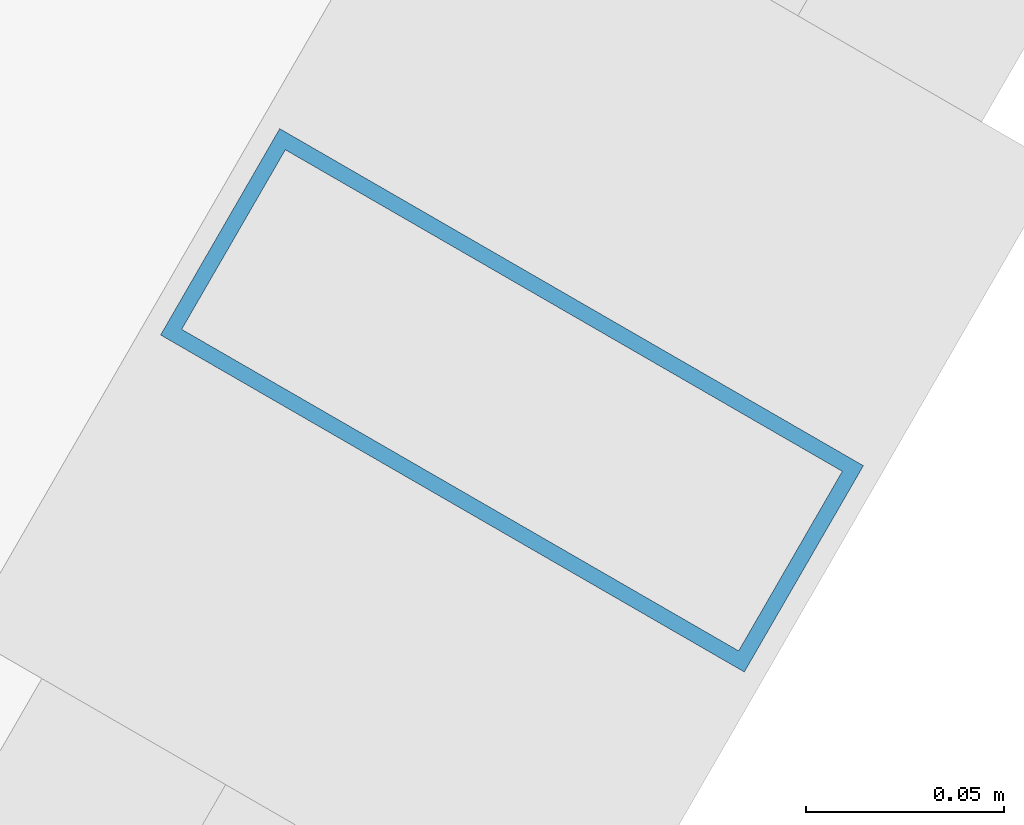
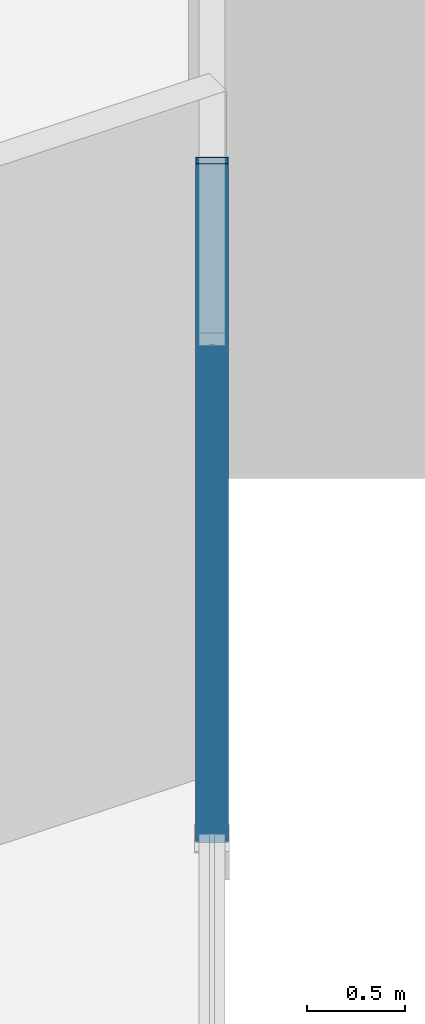
# One storey, part 16 of 39: 1 member, 1 element without a shape of its own.
"""IFC4 building model written with IfcOpenShell, lengths in metres."""

from ifc_helpers import new_model, si_unit, direction, frame, origin, origin_2d, place, context, subcontext, project, spatial, hollow_rectangle, extrude, source, transform, mapped, material, layer, layer_set, material_profile, profile_set, type_object, element, aggregate, save


model = new_model("IFC4")

# Units and contexts
model_context = context("Model", 3, precision=1e-05, world=origin(), true_north=direction((0.0, 1.0)))
body_context = subcontext(model_context, "Body", "Model", "MODEL_VIEW")
ifc_project = project(units=[si_unit("LENGTHUNIT", "METRE"), si_unit("AREAUNIT", "SQUARE_METRE"), si_unit("VOLUMEUNIT", "CUBIC_METRE"), si_unit("PLANEANGLEUNIT", "RADIAN"), si_unit("MASSUNIT", "GRAM", prefix="KILO")], contexts=[model_context])

# Site, building, storey
site_placement = place(None, origin())
site = spatial("IfcSite", under=ifc_project, at=site_placement, CompositionType="ELEMENT")
building_placement = place(site_placement, origin())
building = spatial("IfcBuilding", under=site, at=building_placement, Name="Veraguas Prism Commons", CompositionType="ELEMENT")
storey_placement = place(building_placement, frame((0.0, 0.0, 22.800048828125)))
storey = spatial("IfcBuildingStorey", under=building, at=storey_placement, Name="L05", CompositionType="ELEMENT", Elevation=22.800048828125)

# Curtain wall, member
ifc_material = material(Name="Anodised aluminium EN AW-6063 T6", Category="aluminium")
ifc_layer = layer(ifc_material, 0.169921875, Name="Unitised Flush Curtain Wall Zone 1", Category="aluminium")
ifc_layer_set = layer_set([ifc_layer], Name="Anodised aluminium EN AW-6063 T6")
curtain_wall_type = type_object("IfcCurtainWallType", Name="Unitised Flush Curtain Wall Zone 1", PredefinedType="NOTDEFINED", material=ifc_layer_set)
curtain_wall_placement = place(storey_placement, origin())
curtain_wall = element("IfcCurtainWall", 1, at=curtain_wall_placement, inside=storey, type_object=curtain_wall_type, Name="Tower Facade Curtain Wall L05-F6", PredefinedType="NOTDEFINED")
ifc_material_profile = material_profile(ifc_material, hollow_rectangle(XDim=0.06005859375, YDim=0.169921875, WallThickness=0.00390625, at=origin_2d()), Name="AL60X170X4")
ifc_profile_set = profile_set([ifc_material_profile], Name="Anodised aluminium EN AW-6063 T6")
member_type = type_object("IfcMemberType", Name="Curtain Wall Mullion Lower AL 60x170x4", PredefinedType="MULLION", material=ifc_profile_set)
shared_shape = source(origin(), body_context, "Body", "SweptSolid", [
    extrude(hollow_rectangle(XDim=0.06005859375, YDim=0.169921875, WallThickness=0.00390625, at=origin_2d()), origin(), (0.0, 0.0, 1.0), 4.25),
])
member_placement = place(storey_placement, frame((42.0, 13.607666015625, 0.0), z_axis=(0.0, 0.0, 1.0), x_axis=(0.500004534492, 0.866022785779, 0.0)))
member = element("IfcMember", 2, at=member_placement, type_object=member_type, Name="CW-Z1 Mullion 3", PredefinedType="MULLION", context=body_context, shape_type="MappedRepresentation", body=[
    mapped(shared_shape, transform((0.0, 0.0, 0.0), scale=1.0)),
])
aggregate(curtain_wall, [member])

save(model, "model.ifc")
